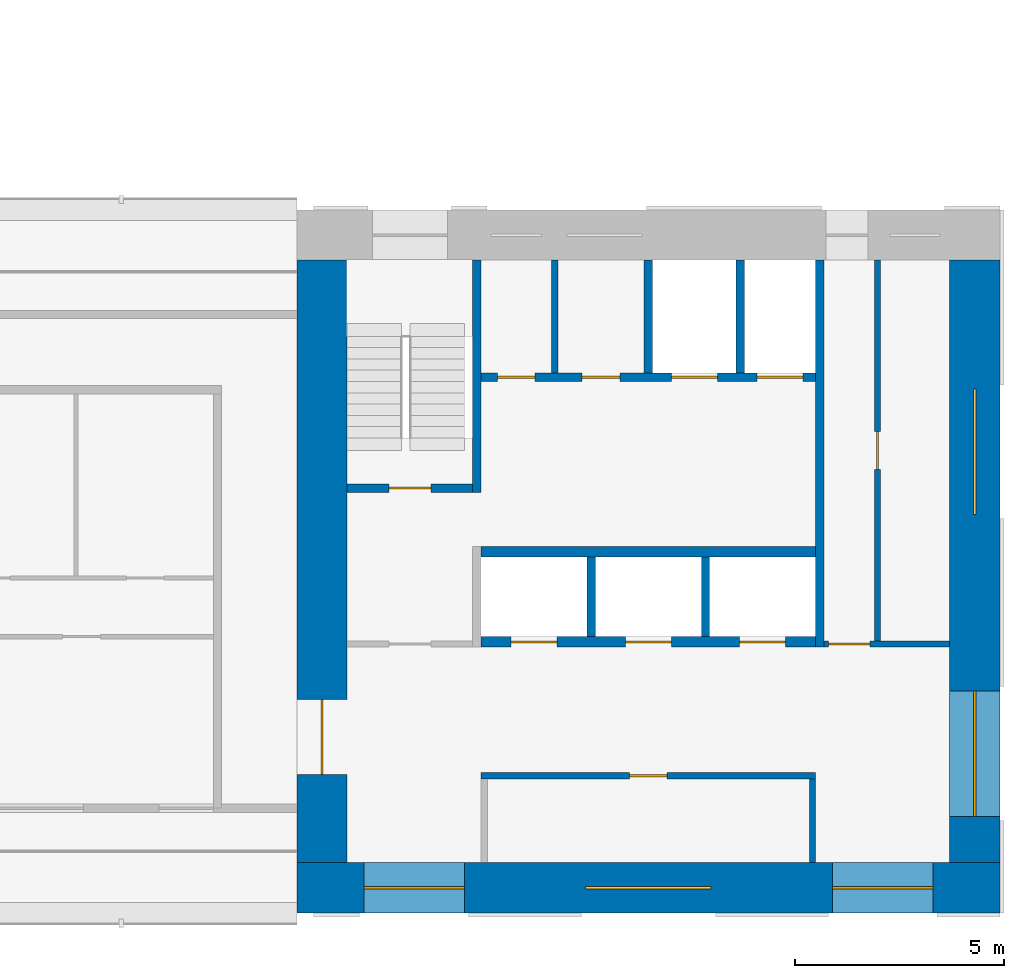
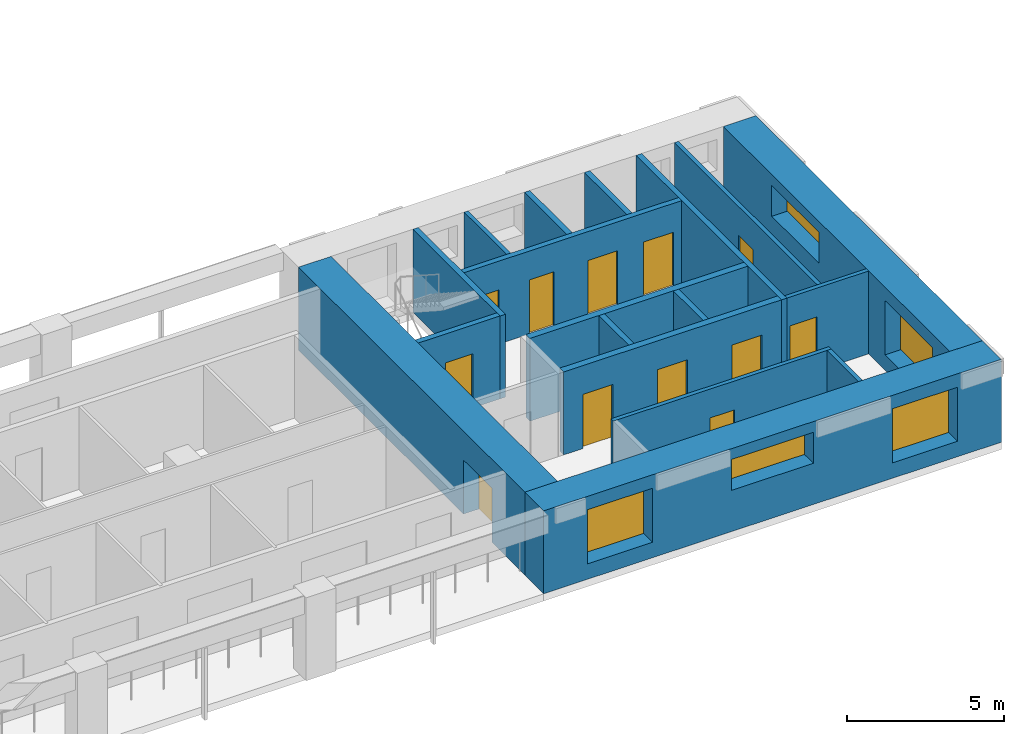
# One storey, part 4 of 9: 18 walls, 12 doors, 5 windows, 17 openings.
"""IFC4 building model written with IfcOpenShell, lengths in metres."""

from ifc_helpers import new_model, si_unit, direction, frame, frame_2d, origin, place, context, subcontext, project, spatial, rectangle, extrude, material, layer, layer_set, type_object, element, fill, save


model = new_model("IFC4")

# Units and contexts
model_context = context("Model", 3, precision=1e-05, world=origin(), true_north=direction((0.0, 1.0)))
body_context = subcontext(model_context, "Body", "Model", "MODEL_VIEW")
ifc_project = project(units=[si_unit("LENGTHUNIT", "METRE"), si_unit("AREAUNIT", "SQUARE_METRE"), si_unit("VOLUMEUNIT", "CUBIC_METRE"), si_unit("PLANEANGLEUNIT", "RADIAN"), si_unit("MASSUNIT", "GRAM", prefix="KILO")], contexts=[model_context])

# Site, building, storey
site_placement = place(None, origin())
site = spatial("IfcSite", under=ifc_project, at=site_placement, CompositionType="ELEMENT")
building_placement = place(site_placement, origin())
building = spatial("IfcBuilding", under=site, at=building_placement, Name="Vermilion Gate Residences", CompositionType="ELEMENT")
storey_placement = place(building_placement, frame((0.0, 0.0, 245.699951171875)))
storey = spatial("IfcBuildingStorey", under=building, at=storey_placement, Name="L64", CompositionType="ELEMENT", Elevation=245.699951171875)

# Wall
ifc_material_1 = material(Name="Masonry blockwork", Category="masonry")
ifc_layer_1 = layer(ifc_material_1, 0.14990234375)
ifc_layer_set_1 = layer_set([ifc_layer_1], Name="BLOCKWORK PARTITION 150 EI 120")
wall_type_1 = type_object("IfcWallType", Name="BLOCKWORK PARTITION 150 EI 120", PredefinedType="PARTITIONING", material=ifc_layer_set_1)
wall_1_placement = place(storey_placement, frame((54.324951171875, 9.60009765625, 0.0), z_axis=(0.0, 0.0, 1.0), x_axis=(0.0, 1.0, 0.0)))
element("IfcWall", 1, at=wall_1_placement, inside=storey, type_object=wall_type_1, Name="Core room partition A64-RW-E", PredefinedType="PARTITIONING", context=body_context, shape_type="SweptSolid", body=[
    extrude(rectangle(XDim=2.0, YDim=0.14990234375, at=frame_2d((1.0, 0.0))), origin(), (0.0, 0.0, 1.0), 3.219970703125),
])

# Wall, opening, door
wall_2_placement = place(storey_placement, frame((46.39990234375, 11.675048828125, 0.0), z_axis=(0.0, 0.0, 1.0), x_axis=(1.0, 0.0, 0.0)))
wall_2 = element("IfcWall", 2, at=wall_2_placement, inside=storey, type_object=wall_type_1, Name="Core room partition A64-LR-F", PredefinedType="PARTITIONING", context=body_context, shape_type="SweptSolid", body=[
    extrude(rectangle(XDim=8.0, YDim=0.14990234375, at=frame_2d((4.0, 0.0))), origin(), (0.0, 0.0, 1.0), 3.219970703125),
])
opening_1_placement = place(wall_2_placement, frame((3.550048828125, 0.0, 0.0)))
opening_1 = element("IfcOpeningElement", 3, at=opening_1_placement, cuts=wall_2, Name="Opening DK64002", PredefinedType="OPENING", context=body_context, shape_type="SweptSolid", body=[
    extrude(rectangle(XDim=0.89990234375, YDim=2.10009765625, at=frame_2d((0.449951171875, 1.050048828125))), frame((0.0, 0.0849609375, 0.0), z_axis=(0.0, -1.0, 0.0), x_axis=(1.0, 0.0, 0.0)), (0.0, 0.0, 1.0), 0.169921875),
])
ifc_material_2 = material(Name="Steel", Category="steel")
door_type_1 = type_object("IfcDoorType", Name="SERVICE ROOM DOOR FD60 900 X 2100", OperationType="SINGLE_SWING_LEFT", PredefinedType="DOOR", material=ifc_material_2)
door_1_placement = place(opening_1_placement, frame((0.89990234375, 0.0, 0.0), z_axis=(0.0, 0.0, 1.0), x_axis=(-1.0, 0.0, 0.0)))
door_1 = element("IfcDoor", 4, at=door_1_placement, inside=storey, type_object=door_type_1, Name="Refuse room A64", OperationType="SINGLE_SWING_RIGHT", OverallHeight=2.10009765625, OverallWidth=0.89990234375, PredefinedType="DOOR", context=body_context, shape_type="SweptSolid", body=[
    extrude(rectangle(XDim=0.89990234375, YDim=2.10009765625, at=frame_2d((0.449951171875, 1.050048828125))), frame((0.0, 0.02490234375, 0.0), z_axis=(0.0, -1.0, 0.0), x_axis=(1.0, 0.0, 0.0)), (0.0, 0.0, 1.0), 0.050048828125),
])
fill(opening_1, door_1)

# Wall
wall_3_placement = place(storey_placement, frame((48.16259765625, 21.300048828125, 0.0), z_axis=(0.0, 0.0, 1.0), x_axis=(0.0, 1.0, 0.0)))
element("IfcWall", 5, at=wall_3_placement, inside=storey, type_object=wall_type_1, Name="Core room partition A64-NR-P0", PredefinedType="PARTITIONING", context=body_context, shape_type="SweptSolid", body=[
    extrude(rectangle(XDim=2.699951171875, YDim=0.14990234375, at=frame_2d((1.35009765625, 0.0))), origin(), (0.0, 0.0, 1.0), 3.219970703125),
])

# Wall, opening, door
wall_4_placement = place(storey_placement, frame((54.60009765625, 14.824951171875, 0.0), z_axis=(0.0, 0.0, 1.0), x_axis=(1.0, 0.0, 0.0)))
wall_4 = element("IfcWall", 6, at=wall_4_placement, inside=storey, type_object=wall_type_1, Name="Core room partition A64-ES-S", PredefinedType="PARTITIONING", context=body_context, shape_type="SweptSolid", body=[
    extrude(rectangle(XDim=3.0, YDim=0.14990234375, at=frame_2d((1.5, 0.0))), origin(), (0.0, 0.0, 1.0), 3.219970703125),
])
opening_2_placement = place(wall_4_placement, frame((0.10009765625, 0.0, 0.0)))
opening_2 = element("IfcOpeningElement", 7, at=opening_2_placement, cuts=wall_4, Name="Opening DK64012", PredefinedType="OPENING", context=body_context, shape_type="SweptSolid", body=[
    extrude(rectangle(XDim=1.0, YDim=2.10009765625, at=frame_2d((0.5, 1.050048828125))), frame((0.0, 0.0849609375, 0.0), z_axis=(0.0, -1.0, 0.0), x_axis=(1.0, 0.0, 0.0)), (0.0, 0.0, 1.0), 0.169921875),
])
ifc_material_3 = material(Name="Steel", Category="steel")
door_type_2 = type_object("IfcDoorType", Name="FIRE DOOR FD60 1000 X 2100", OperationType="SINGLE_SWING_LEFT", PredefinedType="DOOR", material=ifc_material_3)
door_2_placement = place(opening_2_placement, frame((1.0, 0.0, 0.0), z_axis=(0.0, 0.0, 1.0), x_axis=(-1.0, 0.0, 0.0)))
door_2 = element("IfcDoor", 8, at=door_2_placement, inside=storey, type_object=door_type_2, Name="Service corridor door A64", OperationType="SINGLE_SWING_LEFT", OverallHeight=2.10009765625, OverallWidth=1.0, PredefinedType="DOOR", context=body_context, shape_type="SweptSolid", body=[
    extrude(rectangle(XDim=1.0, YDim=2.10009765625, at=frame_2d((0.5, 1.050048828125))), frame((0.0, 0.02490234375, 0.0), z_axis=(0.0, -1.0, 0.0), x_axis=(1.0, 0.0, 0.0)), (0.0, 0.0, 1.0), 0.050048828125),
])
fill(opening_2, door_2)

wall_5_placement = place(storey_placement, frame((55.875, 14.89990234375, 0.0), z_axis=(0.0, 0.0, 1.0), x_axis=(0.0, 1.0, 0.0)))
wall_5 = element("IfcWall", 9, at=wall_5_placement, inside=storey, type_object=wall_type_1, Name="Core room partition A64-ES-W", PredefinedType="PARTITIONING", context=body_context, shape_type="SweptSolid", body=[
    extrude(rectangle(XDim=9.10009765625, YDim=0.14990234375, at=frame_2d((4.550048828125, 0.0))), origin(), (0.0, 0.0, 1.0), 3.219970703125),
])
opening_3_placement = place(wall_5_placement, frame((4.10009765625, 0.0, 0.0)))
opening_3 = element("IfcOpeningElement", 10, at=opening_3_placement, cuts=wall_5, Name="Opening DK64013", PredefinedType="OPENING", context=body_context, shape_type="SweptSolid", body=[
    extrude(rectangle(XDim=0.89990234375, YDim=2.10009765625, at=frame_2d((0.449951171875, 1.050048828125))), frame((0.0, 0.0849609375, 0.0), z_axis=(0.0, -1.0, 0.0), x_axis=(1.0, 0.0, 0.0)), (0.0, 0.0, 1.0), 0.169921875),
])
door_3_placement = place(opening_3_placement, frame((0.89990234375, 0.0, 0.0), z_axis=(0.0, 0.0, 1.0), x_axis=(-1.0, 0.0, 0.0)))
door_3 = element("IfcDoor", 11, at=door_3_placement, inside=storey, type_object=door_type_1, Name="Parcel room A64", OperationType="SINGLE_SWING_RIGHT", OverallHeight=2.10009765625, OverallWidth=0.89990234375, PredefinedType="DOOR", context=body_context, shape_type="SweptSolid", body=[
    extrude(rectangle(XDim=0.89990234375, YDim=2.10009765625, at=frame_2d((0.449951171875, 1.050048828125))), frame((0.0, 0.02490234375, 0.0), z_axis=(0.0, -1.0, 0.0), x_axis=(1.0, 0.0, 0.0)), (0.0, 0.0, 1.0), 0.050048828125),
])
fill(opening_3, door_3)

# Walls
ifc_material_4 = material(Name="Concrete C60", Category="concrete")
ifc_layer_2 = layer(ifc_material_4, 0.199951171875)
ifc_layer_set_2 = layer_set([ifc_layer_2], Name="RC CORE INTERNAL WALL 200 C60")
wall_type_2 = type_object("IfcWallType", Name="RC CORE INTERNAL WALL 200 C60", PredefinedType="SHEAR", material=ifc_layer_set_2)
for number, where, z_axis, x_axis, name in (
    (12, (49.033447265625, 15.0, 0.0), (0.0, 0.0, 1.0), (0.0, 1.0, 0.0), "Core internal wall A64-HR-D1"),
    (13, (51.7666015625, 15.0, 0.0), (0.0, 0.0, 1.0), (0.0, 1.0, 0.0), "Core internal wall A64-HR-D2"),
):
    element("IfcWall", number, at=place(storey_placement, frame(where, z_axis=z_axis, x_axis=x_axis)), inside=storey, type_object=wall_type_2, Name=name, PredefinedType="SHEAR", context=body_context, shape_type="SweptSolid", body=[
        extrude(rectangle(XDim=1.89990234375, YDim=0.199951171875, at=frame_2d((0.949951171875, 0.0))), origin(), (0.0, 0.0, 1.0), 3.219970703125),
    ])
for number, where, z_axis, x_axis, name in (
    (14, (50.39990234375, 21.300048828125, 0.0), (0.0, 0.0, 1.0), (0.0, 1.0, 0.0), "Core internal wall A64-FF-D0"),
    (15, (52.60009765625, 21.300048828125, 0.0), (0.0, 0.0, 1.0), (0.0, 1.0, 0.0), "Core internal wall A64-FF-D1"),
):
    element("IfcWall", number, at=place(storey_placement, frame(where, z_axis=z_axis, x_axis=x_axis)), inside=storey, type_object=wall_type_2, Name=name, PredefinedType="SHEAR", context=body_context, shape_type="SweptSolid", body=[
        extrude(rectangle(XDim=2.699951171875, YDim=0.199951171875, at=frame_2d((1.35009765625, 0.0))), origin(), (0.0, 0.0, 1.0), 3.219970703125),
    ])

# Wall, openings, doors
wall_6_placement = place(storey_placement, frame((46.39990234375, 21.199951171875, 0.0), z_axis=(0.0, 0.0, 1.0), x_axis=(1.0, 0.0, 0.0)))
wall_6 = element("IfcWall", 16, at=wall_6_placement, inside=storey, type_object=wall_type_2, Name="Core internal wall A64-FF-F", PredefinedType="SHEAR", context=body_context, shape_type="SweptSolid", body=[
    extrude(rectangle(XDim=8.0, YDim=0.199951171875, at=frame_2d((4.0, 0.0))), origin(), (0.0, 0.0, 1.0), 3.219970703125),
])
opening_4_placement = place(wall_6_placement, frame((0.393798828125, 0.0, 0.0)))
opening_4 = element("IfcOpeningElement", 17, at=opening_4_placement, cuts=wall_6, Name="Opening DK64006", PredefinedType="OPENING", context=body_context, shape_type="SweptSolid", body=[
    extrude(rectangle(XDim=0.89990234375, YDim=2.10009765625, at=frame_2d((0.449951171875, 1.050048828125))), frame((0.0, 0.10986328125, 0.0), z_axis=(0.0, -1.0, 0.0), x_axis=(1.0, 0.0, 0.0)), (0.0, 0.0, 1.0), 0.219970703125),
])
opening_5_placement = place(wall_6_placement, frame((2.418701171875, 0.0, 0.0)))
opening_5 = element("IfcOpeningElement", 18, at=opening_5_placement, cuts=wall_6, Name="Opening DK64007", PredefinedType="OPENING", context=body_context, shape_type="SweptSolid", body=[
    extrude(rectangle(XDim=0.89990234375, YDim=2.10009765625, at=frame_2d((0.449951171875, 1.050048828125))), frame((0.0, 0.10986328125, 0.0), z_axis=(0.0, -1.0, 0.0), x_axis=(1.0, 0.0, 0.0)), (0.0, 0.0, 1.0), 0.219970703125),
])
opening_6_placement = place(wall_6_placement, frame((4.550048828125, 0.0, 0.0)))
opening_6 = element("IfcOpeningElement", 19, at=opening_6_placement, cuts=wall_6, Name="Opening LD", PredefinedType="OPENING", context=body_context, shape_type="SweptSolid", body=[
    extrude(rectangle(XDim=1.10009765625, YDim=2.10009765625, at=frame_2d((0.550048828125, 1.050048828125))), frame((0.0, 0.10986328125, 0.0), z_axis=(0.0, -1.0, 0.0), x_axis=(1.0, 0.0, 0.0)), (0.0, 0.0, 1.0), 0.219970703125),
])
opening_7_placement = place(wall_6_placement, frame((6.60009765625, 0.0, 0.0)))
opening_7 = element("IfcOpeningElement", 20, at=opening_7_placement, cuts=wall_6, Name="Opening LD", PredefinedType="OPENING", context=body_context, shape_type="SweptSolid", body=[
    extrude(rectangle(XDim=1.10009765625, YDim=2.10009765625, at=frame_2d((0.550048828125, 1.050048828125))), frame((0.0, 0.10986328125, 0.0), z_axis=(0.0, -1.0, 0.0), x_axis=(1.0, 0.0, 0.0)), (0.0, 0.0, 1.0), 0.219970703125),
])
ifc_material_5 = material(Name="Stainless steel", Category="steel")
door_type_3 = type_object("IfcDoorType", Name="LIFT LANDING DOOR E60 1100 X 2100", OperationType="DOUBLE_DOOR_SLIDING", PredefinedType="DOOR", material=ifc_material_5)
door_4_placement = place(opening_6_placement, origin())
door_4 = element("IfcDoor", 21, at=door_4_placement, inside=storey, type_object=door_type_3, Name="Lift landing door LFA1", OperationType="DOUBLE_DOOR_SLIDING", OverallHeight=2.10009765625, OverallWidth=1.10009765625, PredefinedType="DOOR", context=body_context, shape_type="SweptSolid", body=[
    extrude(rectangle(XDim=1.10009765625, YDim=2.10009765625, at=frame_2d((0.550048828125, 1.050048828125))), frame((0.0, 0.02490234375, 0.0), z_axis=(0.0, -1.0, 0.0), x_axis=(1.0, 0.0, 0.0)), (0.0, 0.0, 1.0), 0.050048828125),
])
fill(opening_6, door_4)
door_5_placement = place(opening_7_placement, origin())
door_5 = element("IfcDoor", 22, at=door_5_placement, inside=storey, type_object=door_type_3, Name="Lift landing door LCA1", OperationType="DOUBLE_DOOR_SLIDING", OverallHeight=2.10009765625, OverallWidth=1.10009765625, PredefinedType="DOOR", context=body_context, shape_type="SweptSolid", body=[
    extrude(rectangle(XDim=1.10009765625, YDim=2.10009765625, at=frame_2d((0.550048828125, 1.050048828125))), frame((0.0, 0.02490234375, 0.0), z_axis=(0.0, -1.0, 0.0), x_axis=(1.0, 0.0, 0.0)), (0.0, 0.0, 1.0), 0.050048828125),
])
fill(opening_7, door_5)
door_6_placement = place(opening_4_placement, origin())
door_6 = element("IfcDoor", 23, at=door_6_placement, inside=storey, type_object=door_type_1, Name="Communications riser A64", OperationType="SINGLE_SWING_LEFT", OverallHeight=2.10009765625, OverallWidth=0.89990234375, PredefinedType="DOOR", context=body_context, shape_type="SweptSolid", body=[
    extrude(rectangle(XDim=0.89990234375, YDim=2.10009765625, at=frame_2d((0.449951171875, 1.050048828125))), frame((0.0, 0.02490234375, 0.0), z_axis=(0.0, -1.0, 0.0), x_axis=(1.0, 0.0, 0.0)), (0.0, 0.0, 1.0), 0.050048828125),
])
fill(opening_4, door_6)
door_7_placement = place(opening_5_placement, origin())
door_7 = element("IfcDoor", 24, at=door_7_placement, inside=storey, type_object=door_type_1, Name="Refuse room A64", OperationType="SINGLE_SWING_LEFT", OverallHeight=2.10009765625, OverallWidth=0.89990234375, PredefinedType="DOOR", context=body_context, shape_type="SweptSolid", body=[
    extrude(rectangle(XDim=0.89990234375, YDim=2.10009765625, at=frame_2d((0.449951171875, 1.050048828125))), frame((0.0, 0.02490234375, 0.0), z_axis=(0.0, -1.0, 0.0), x_axis=(1.0, 0.0, 0.0)), (0.0, 0.0, 1.0), 0.050048828125),
])
fill(opening_5, door_7)

# Wall
wall_7_placement = place(storey_placement, frame((46.300048828125, 18.449951171875, 0.0), z_axis=(0.0, 0.0, 1.0), x_axis=(0.0, 1.0, 0.0)))
element("IfcWall", 25, at=wall_7_placement, inside=storey, type_object=wall_type_2, Name="Core internal wall A64-WDIV2", PredefinedType="SHEAR", context=body_context, shape_type="SweptSolid", body=[
    extrude(rectangle(XDim=5.550048828125, YDim=0.199951171875, at=frame_2d((2.77490234375, 0.0))), origin(), (0.0, 0.0, 1.0), 3.219970703125),
])

# Wall, opening, door
wall_8_placement = place(storey_placement, frame((43.199951171875, 18.550048828125, 0.0), z_axis=(0.0, 0.0, 1.0), x_axis=(1.0, 0.0, 0.0)))
wall_8 = element("IfcWall", 26, at=wall_8_placement, inside=storey, type_object=wall_type_2, Name="Core internal wall A64-STW-S", PredefinedType="SHEAR", context=body_context, shape_type="SweptSolid", body=[
    extrude(rectangle(XDim=3.0, YDim=0.199951171875, at=frame_2d((1.5, 0.0))), origin(), (0.0, 0.0, 1.0), 3.219970703125),
])
opening_8_placement = place(wall_8_placement, frame((1.0, 0.0, 0.0)))
opening_8 = element("IfcOpeningElement", 27, at=opening_8_placement, cuts=wall_8, Name="Opening DK64011", PredefinedType="OPENING", context=body_context, shape_type="SweptSolid", body=[
    extrude(rectangle(XDim=1.0, YDim=2.10009765625, at=frame_2d((0.5, 1.050048828125))), frame((0.0, 0.10986328125, 0.0), z_axis=(0.0, -1.0, 0.0), x_axis=(1.0, 0.0, 0.0)), (0.0, 0.0, 1.0), 0.219970703125),
])
door_8_placement = place(opening_8_placement, origin())
door_8 = element("IfcDoor", 28, at=door_8_placement, inside=storey, type_object=door_type_2, Name="Stair door A64", OperationType="SINGLE_SWING_LEFT", OverallHeight=2.10009765625, OverallWidth=1.0, PredefinedType="DOOR", context=body_context, shape_type="SweptSolid", body=[
    extrude(rectangle(XDim=1.0, YDim=2.10009765625, at=frame_2d((0.5, 1.050048828125))), frame((0.0, 0.02490234375, 0.0), z_axis=(0.0, -1.0, 0.0), x_axis=(1.0, 0.0, 0.0)), (0.0, 0.0, 1.0), 0.050048828125),
])
fill(opening_8, door_8)

# Wall
wall_9_placement = place(storey_placement, frame((54.5, 14.75, 0.0), z_axis=(0.0, 0.0, 1.0), x_axis=(0.0, 1.0, 0.0)))
element("IfcWall", 29, at=wall_9_placement, inside=storey, type_object=wall_type_2, Name="Core internal wall A64-EDIV", PredefinedType="SHEAR", context=body_context, shape_type="SweptSolid", body=[
    extrude(rectangle(XDim=9.25, YDim=0.199951171875, at=frame_2d((4.625, 0.0))), origin(), (0.0, 0.0, 1.0), 3.219970703125),
])

# Wall, opening, door
ifc_material_6 = material(Name="Concrete C50", Category="concrete")
ifc_layer_3 = layer(ifc_material_6, 1.199951171875)
ifc_layer_set_3 = layer_set([ifc_layer_3], Name="RC CORE WALL 1200 C50")
wall_type_3 = type_object("IfcWallType", Name="RC CORE WALL 1200 C50", PredefinedType="SHEAR", material=ifc_layer_set_3)
wall_10_placement = place(storey_placement, frame((42.60009765625, 9.60009765625, 0.0), z_axis=(0.0, 0.0, 1.0), x_axis=(0.0, 1.0, 0.0)))
wall_10 = element("IfcWall", 30, at=wall_10_placement, inside=storey, type_object=wall_type_3, Name="Core wall A64-OUT-FR", PredefinedType="SHEAR", context=body_context, shape_type="SweptSolid", body=[
    extrude(rectangle(XDim=14.39990234375, YDim=1.199951171875, at=frame_2d((7.199951171875, 0.0))), origin(), (0.0, 0.0, 1.0), 3.219970703125),
])
opening_9_placement = place(wall_10_placement, frame((2.10009765625, 0.0, 0.0)))
opening_9 = element("IfcOpeningElement", 31, at=opening_9_placement, cuts=wall_10, Name="Opening DK64001", PredefinedType="OPENING", context=body_context, shape_type="SweptSolid", body=[
    extrude(rectangle(XDim=1.800048828125, YDim=2.10009765625, at=frame_2d((0.89990234375, 1.050048828125))), frame((0.0, 0.60986328125, 0.0), z_axis=(0.0, -1.0, 0.0), x_axis=(1.0, 0.0, 0.0)), (0.0, 0.0, 1.0), 1.219970703125),
])
ifc_material_7 = material(Name="Steel", Category="steel")
door_type_4 = type_object("IfcDoorType", Name="CORE LOBBY DOOR FD60 1800 X 2100", OperationType="DOUBLE_DOOR_SINGLE_SWING", PredefinedType="DOOR", material=ifc_material_7)
door_9_placement = place(opening_9_placement, frame((1.800048828125, 0.0, 0.0), z_axis=(0.0, 0.0, 1.0), x_axis=(-1.0, 0.0, 0.0)))
door_9 = element("IfcDoor", 32, at=door_9_placement, inside=storey, type_object=door_type_4, Name="Core lobby door A64", OperationType="DOUBLE_DOOR_SINGLE_SWING", OverallHeight=2.10009765625, OverallWidth=1.800048828125, PredefinedType="DOOR", context=body_context, shape_type="SweptSolid", body=[
    extrude(rectangle(XDim=1.800048828125, YDim=2.10009765625, at=frame_2d((0.89990234375, 1.050048828125))), frame((0.0, 0.02490234375, 0.0), z_axis=(0.0, -1.0, 0.0), x_axis=(1.0, 0.0, 0.0)), (0.0, 0.0, 1.0), 0.050048828125),
])
fill(opening_9, door_9)

# Wall, openings, windows
ifc_material_8 = material(Name="Concrete C50 red-oxide pigmented", Category="concrete")
ifc_layer_4 = layer(ifc_material_8, 1.199951171875)
ifc_layer_set_4 = layer_set([ifc_layer_4], Name="RC CORE WALL 1200 C50 RED OXIDE")
wall_type_4 = type_object("IfcWallType", Name="RC CORE WALL 1200 C50 RED OXIDE", PredefinedType="SHEAR", material=ifc_layer_set_4)
wall_11_placement = place(storey_placement, frame((42.0, 9.0, 0.0), z_axis=(0.0, 0.0, 1.0), x_axis=(1.0, 0.0, 0.0)))
wall_11 = element("IfcWall", 33, at=wall_11_placement, inside=storey, type_object=wall_type_4, Name="Core wall A64-OUT-B0", PredefinedType="SHEAR", context=body_context, shape_type="SweptSolid", body=[
    extrude(rectangle(XDim=16.800048828125, YDim=1.199951171875, at=frame_2d((8.39990234375, 0.0))), origin(), (0.0, 0.0, 1.0), 3.219970703125),
])
opening_10_placement = place(wall_11_placement, frame((1.60009765625, 0.0, 0.60009765625)))
opening_10 = element("IfcOpeningElement", 34, at=opening_10_placement, cuts=wall_11, Name="Opening WKA6401", PredefinedType="OPENING", context=body_context, shape_type="SweptSolid", body=[
    extrude(rectangle(XDim=2.39990234375, YDim=2.10009765625, at=frame_2d((1.199951171875, 1.050048828125))), frame((0.0, 0.60986328125, 0.0), z_axis=(0.0, -1.0, 0.0), x_axis=(1.0, 0.0, 0.0)), (0.0, 0.0, 1.0), 1.219970703125),
])
opening_11_placement = place(wall_11_placement, frame((6.89990234375, 0.0, 1.60009765625)))
opening_11 = element("IfcOpeningElement", 35, at=opening_11_placement, cuts=wall_11, Name="Opening WKA6402", PredefinedType="OPENING", context=body_context, shape_type="SweptSolid", body=[
    extrude(rectangle(XDim=3.0, YDim=1.199951171875, at=frame_2d((1.5, 0.60009765625))), frame((0.0, 0.60986328125, 0.0), z_axis=(0.0, -1.0, 0.0), x_axis=(1.0, 0.0, 0.0)), (0.0, 0.0, 1.0), 1.219970703125),
])
opening_12_placement = place(wall_11_placement, frame((12.800048828125, 0.0, 0.60009765625)))
opening_12 = element("IfcOpeningElement", 36, at=opening_12_placement, cuts=wall_11, Name="Opening WKA6403", PredefinedType="OPENING", context=body_context, shape_type="SweptSolid", body=[
    extrude(rectangle(XDim=2.39990234375, YDim=2.10009765625, at=frame_2d((1.199951171875, 1.050048828125))), frame((0.0, 0.60986328125, 0.0), z_axis=(0.0, -1.0, 0.0), x_axis=(1.0, 0.0, 0.0)), (0.0, 0.0, 1.0), 1.219970703125),
])
ifc_material_9 = material(Name="Aluminium and clear glass", Category="aluminium")
window_type_1 = type_object("IfcWindowType", Name="CORE LOBBY WINDOW 2400 X 2100", PartitioningType="SINGLE_PANEL", PredefinedType="WINDOW", material=ifc_material_9)
window_1_placement = place(opening_10_placement, origin())
window_1 = element("IfcWindow", 37, at=window_1_placement, inside=storey, type_object=window_type_1, Name="Core lobby window", OverallHeight=2.10009765625, OverallWidth=2.39990234375, PartitioningType="SINGLE_PANEL", PredefinedType="WINDOW", context=body_context, shape_type="SweptSolid", body=[
    extrude(rectangle(XDim=2.39990234375, YDim=2.10009765625, at=frame_2d((1.199951171875, 1.050048828125))), frame((0.0, 0.030029296875, 0.0), z_axis=(0.0, -1.0, 0.0), x_axis=(1.0, 0.0, 0.0)), (0.0, 0.0, 1.0), 0.06005859375),
])
fill(opening_10, window_1)
window_2_placement = place(opening_12_placement, origin())
window_2 = element("IfcWindow", 38, at=window_2_placement, inside=storey, type_object=window_type_1, Name="Core lobby window", OverallHeight=2.10009765625, OverallWidth=2.39990234375, PartitioningType="SINGLE_PANEL", PredefinedType="WINDOW", context=body_context, shape_type="SweptSolid", body=[
    extrude(rectangle(XDim=2.39990234375, YDim=2.10009765625, at=frame_2d((1.199951171875, 1.050048828125))), frame((0.0, 0.030029296875, 0.0), z_axis=(0.0, -1.0, 0.0), x_axis=(1.0, 0.0, 0.0)), (0.0, 0.0, 1.0), 0.06005859375),
])
fill(opening_12, window_2)
ifc_material_10 = material(Name="Aluminium frame with louvre blades", Category="aluminium")
window_type_2 = type_object("IfcWindowType", Name="CORE LOUVRE 3000 X 1200", PartitioningType="SINGLE_PANEL", PredefinedType="WINDOW", material=ifc_material_10)
window_3_placement = place(opening_11_placement, origin())
window_3 = element("IfcWindow", 39, at=window_3_placement, inside=storey, type_object=window_type_2, Name="Core louvre", OverallHeight=1.199951171875, OverallWidth=3.0, PartitioningType="SINGLE_PANEL", PredefinedType="WINDOW", context=body_context, shape_type="SweptSolid", body=[
    extrude(rectangle(XDim=3.0, YDim=1.199951171875, at=frame_2d((1.5, 0.60009765625))), frame((0.0, 0.030029296875, 0.0), z_axis=(0.0, -1.0, 0.0), x_axis=(1.0, 0.0, 0.0)), (0.0, 0.0, 1.0), 0.06005859375),
])
fill(opening_11, window_3)

wall_12_placement = place(storey_placement, frame((58.199951171875, 9.60009765625, 0.0), z_axis=(0.0, 0.0, 1.0), x_axis=(0.0, 1.0, 0.0)))
wall_12 = element("IfcWall", 40, at=wall_12_placement, inside=storey, type_object=wall_type_4, Name="Core wall A64-OUT-BK", PredefinedType="SHEAR", context=body_context, shape_type="SweptSolid", body=[
    extrude(rectangle(XDim=14.39990234375, YDim=1.199951171875, at=frame_2d((7.199951171875, 0.0))), origin(), (0.0, 0.0, 1.0), 3.219970703125),
])
opening_13_placement = place(wall_12_placement, frame((1.10498046875, 0.0, 0.60009765625)))
opening_13 = element("IfcOpeningElement", 41, at=opening_13_placement, cuts=wall_12, Name="Opening WKA6409", PredefinedType="OPENING", context=body_context, shape_type="SweptSolid", body=[
    extrude(rectangle(XDim=3.0, YDim=2.10009765625, at=frame_2d((1.5, 1.050048828125))), frame((0.0, 0.60986328125, 0.0), z_axis=(0.0, -1.0, 0.0), x_axis=(1.0, 0.0, 0.0)), (0.0, 0.0, 1.0), 1.219970703125),
])
opening_14_placement = place(wall_12_placement, frame((8.320068359375, 0.0, 1.60009765625)))
opening_14 = element("IfcOpeningElement", 42, at=opening_14_placement, cuts=wall_12, Name="Opening WKA6410", PredefinedType="OPENING", context=body_context, shape_type="SweptSolid", body=[
    extrude(rectangle(XDim=3.0, YDim=1.199951171875, at=frame_2d((1.5, 0.60009765625))), frame((0.0, 0.60986328125, 0.0), z_axis=(0.0, -1.0, 0.0), x_axis=(1.0, 0.0, 0.0)), (0.0, 0.0, 1.0), 1.219970703125),
])
ifc_material_11 = material(Name="Aluminium and clear glass", Category="aluminium")
window_type_3 = type_object("IfcWindowType", Name="CORE LOBBY WINDOW 3000 X 2100", PartitioningType="SINGLE_PANEL", PredefinedType="WINDOW", material=ifc_material_11)
window_4_placement = place(opening_13_placement, origin())
window_4 = element("IfcWindow", 43, at=window_4_placement, inside=storey, type_object=window_type_3, Name="Core lobby window", OverallHeight=2.10009765625, OverallWidth=3.0, PartitioningType="SINGLE_PANEL", PredefinedType="WINDOW", context=body_context, shape_type="SweptSolid", body=[
    extrude(rectangle(XDim=3.0, YDim=2.10009765625, at=frame_2d((1.5, 1.050048828125))), frame((0.0, 0.030029296875, 0.0), z_axis=(0.0, -1.0, 0.0), x_axis=(1.0, 0.0, 0.0)), (0.0, 0.0, 1.0), 0.06005859375),
])
fill(opening_13, window_4)
window_5_placement = place(opening_14_placement, origin())
window_5 = element("IfcWindow", 44, at=window_5_placement, inside=storey, type_object=window_type_2, Name="Core louvre", OverallHeight=1.199951171875, OverallWidth=3.0, PartitioningType="SINGLE_PANEL", PredefinedType="WINDOW", context=body_context, shape_type="SweptSolid", body=[
    extrude(rectangle(XDim=3.0, YDim=1.199951171875, at=frame_2d((1.5, 0.60009765625))), frame((0.0, 0.030029296875, 0.0), z_axis=(0.0, -1.0, 0.0), x_axis=(1.0, 0.0, 0.0)), (0.0, 0.0, 1.0), 0.06005859375),
])
fill(opening_14, window_5)

# Wall, openings, doors
ifc_material_12 = material(Name="Concrete C60", Category="concrete")
ifc_layer_5 = layer(ifc_material_12, 0.25)
ifc_layer_set_5 = layer_set([ifc_layer_5], Name="RC LIFT SHAFT WALL 250 C60")
wall_type_5 = type_object("IfcWallType", Name="RC LIFT SHAFT WALL 250 C60", PredefinedType="SHEAR", material=ifc_layer_set_5)
wall_13_placement = place(storey_placement, frame((46.39990234375, 14.875, 0.0), z_axis=(0.0, 0.0, 1.0), x_axis=(1.0, 0.0, 0.0)))
wall_13 = element("IfcWall", 45, at=wall_13_placement, inside=storey, type_object=wall_type_5, Name="Lift shaft wall A64-HR-F", PredefinedType="SHEAR", context=body_context, shape_type="SweptSolid", body=[
    extrude(rectangle(XDim=8.0, YDim=0.25, at=frame_2d((4.0, 0.0))), origin(), (0.0, 0.0, 1.0), 3.219970703125),
])
opening_15_placement = place(wall_13_placement, frame((0.716552734375, 0.0, 0.0)))
opening_15 = element("IfcOpeningElement", 46, at=opening_15_placement, cuts=wall_13, Name="Opening LD", PredefinedType="OPENING", context=body_context, shape_type="SweptSolid", body=[
    extrude(rectangle(XDim=1.10009765625, YDim=2.10009765625, at=frame_2d((0.550048828125, 1.050048828125))), frame((0.0, 0.135009765625, 0.0), z_axis=(0.0, -1.0, 0.0), x_axis=(1.0, 0.0, 0.0)), (0.0, 0.0, 1.0), 0.27001953125),
])
opening_16_placement = place(wall_13_placement, frame((3.449951171875, 0.0, 0.0)))
opening_16 = element("IfcOpeningElement", 47, at=opening_16_placement, cuts=wall_13, Name="Opening LD", PredefinedType="OPENING", context=body_context, shape_type="SweptSolid", body=[
    extrude(rectangle(XDim=1.10009765625, YDim=2.10009765625, at=frame_2d((0.550048828125, 1.050048828125))), frame((0.0, 0.135009765625, 0.0), z_axis=(0.0, -1.0, 0.0), x_axis=(1.0, 0.0, 0.0)), (0.0, 0.0, 1.0), 0.27001953125),
])
opening_17_placement = place(wall_13_placement, frame((6.183349609375, 0.0, 0.0)))
opening_17 = element("IfcOpeningElement", 48, at=opening_17_placement, cuts=wall_13, Name="Opening LD", PredefinedType="OPENING", context=body_context, shape_type="SweptSolid", body=[
    extrude(rectangle(XDim=1.10009765625, YDim=2.10009765625, at=frame_2d((0.550048828125, 1.050048828125))), frame((0.0, 0.135009765625, 0.0), z_axis=(0.0, -1.0, 0.0), x_axis=(1.0, 0.0, 0.0)), (0.0, 0.0, 1.0), 0.27001953125),
])
door_10_placement = place(opening_15_placement, origin())
door_10 = element("IfcDoor", 49, at=door_10_placement, inside=storey, type_object=door_type_3, Name="Lift landing door HRA1", OperationType="DOUBLE_DOOR_SLIDING", OverallHeight=2.10009765625, OverallWidth=1.10009765625, PredefinedType="DOOR", context=body_context, shape_type="SweptSolid", body=[
    extrude(rectangle(XDim=1.10009765625, YDim=2.10009765625, at=frame_2d((0.550048828125, 1.050048828125))), frame((0.0, 0.02490234375, 0.0), z_axis=(0.0, -1.0, 0.0), x_axis=(1.0, 0.0, 0.0)), (0.0, 0.0, 1.0), 0.050048828125),
])
fill(opening_15, door_10)
door_11_placement = place(opening_16_placement, origin())
door_11 = element("IfcDoor", 50, at=door_11_placement, inside=storey, type_object=door_type_3, Name="Lift landing door HRA2", OperationType="DOUBLE_DOOR_SLIDING", OverallHeight=2.10009765625, OverallWidth=1.10009765625, PredefinedType="DOOR", context=body_context, shape_type="SweptSolid", body=[
    extrude(rectangle(XDim=1.10009765625, YDim=2.10009765625, at=frame_2d((0.550048828125, 1.050048828125))), frame((0.0, 0.02490234375, 0.0), z_axis=(0.0, -1.0, 0.0), x_axis=(1.0, 0.0, 0.0)), (0.0, 0.0, 1.0), 0.050048828125),
])
fill(opening_16, door_11)
door_12_placement = place(opening_17_placement, origin())
door_12 = element("IfcDoor", 51, at=door_12_placement, inside=storey, type_object=door_type_3, Name="Lift landing door HRA3", OperationType="DOUBLE_DOOR_SLIDING", OverallHeight=2.10009765625, OverallWidth=1.10009765625, PredefinedType="DOOR", context=body_context, shape_type="SweptSolid", body=[
    extrude(rectangle(XDim=1.10009765625, YDim=2.10009765625, at=frame_2d((0.550048828125, 1.050048828125))), frame((0.0, 0.02490234375, 0.0), z_axis=(0.0, -1.0, 0.0), x_axis=(1.0, 0.0, 0.0)), (0.0, 0.0, 1.0), 0.050048828125),
])
fill(opening_17, door_12)

# Wall
wall_14_placement = place(storey_placement, frame((46.39990234375, 17.02490234375, 0.0), z_axis=(0.0, 0.0, 1.0), x_axis=(1.0, 0.0, 0.0)))
element("IfcWall", 52, at=wall_14_placement, inside=storey, type_object=wall_type_5, Name="Lift shaft wall A64-HR-B", PredefinedType="SHEAR", context=body_context, shape_type="SweptSolid", body=[
    extrude(rectangle(XDim=8.0, YDim=0.25, at=frame_2d((4.0, 0.0))), origin(), (0.0, 0.0, 1.0), 3.219970703125),
])

save(model, "model.ifc")
